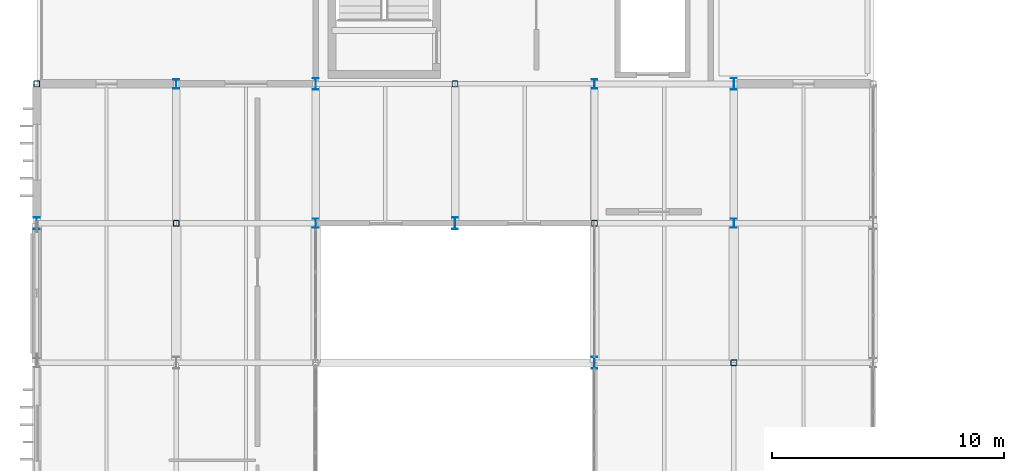
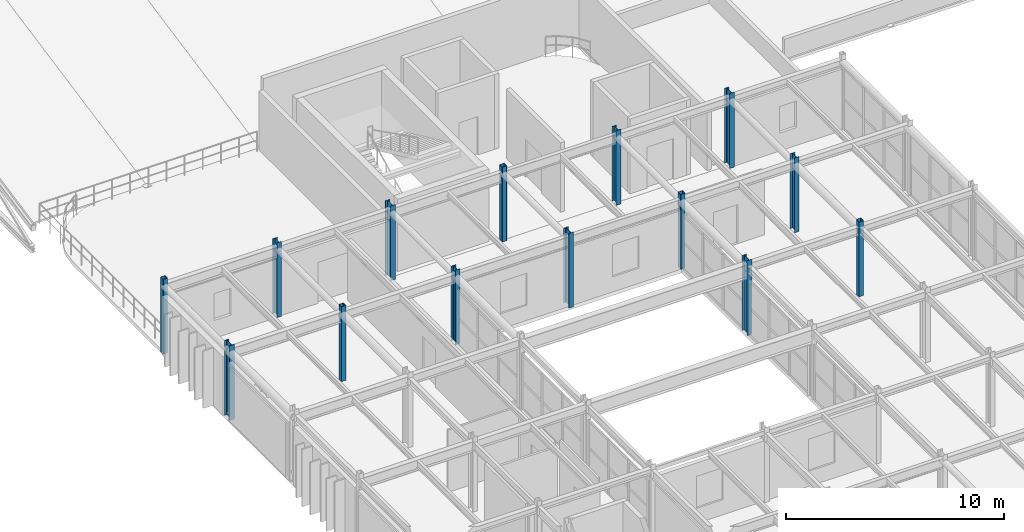
# One storey, part 4 of 83: 14 columns.
"""IFC4 building model written with IfcOpenShell, lengths in metres."""

from ifc_helpers import new_model, si_unit, direction, frame, origin, origin_2d, place, context, subcontext, project, spatial, hollow_rectangle, i_section, extrude, material, material_profile, profile_set, type_object, element, save


model = new_model("IFC4")

# Units and contexts
model_context = context("Model", 3, precision=1e-05, world=origin(), true_north=direction((0.0, 1.0)))
body_context = subcontext(model_context, "Body", "Model", "MODEL_VIEW")
ifc_project = project(units=[si_unit("LENGTHUNIT", "METRE"), si_unit("AREAUNIT", "SQUARE_METRE"), si_unit("VOLUMEUNIT", "CUBIC_METRE"), si_unit("PLANEANGLEUNIT", "RADIAN"), si_unit("MASSUNIT", "GRAM", prefix="KILO")], contexts=[model_context])

# Site, building, storey
site_placement = place(None, origin())
site = spatial("IfcSite", under=ifc_project, at=site_placement, CompositionType="ELEMENT")
building_placement = place(site_placement, origin())
building = spatial("IfcBuilding", under=site, at=building_placement, Name="Varnakota Square Police Headquarters", CompositionType="ELEMENT")
storey_placement = place(building_placement, frame((0.0, 0.0, 18.0)))
storey = spatial("IfcBuildingStorey", under=building, at=storey_placement, Name="L04", CompositionType="ELEMENT", Elevation=18.0)

# Columns
ifc_material = material(Name="Steel IS 2062 Grade 350", Category="steel")
ifc_material_profile_1 = material_profile(ifc_material, i_section(OverallWidth=0.25, OverallDepth=0.39990234375, WebThickness=0.010498046875, FlangeThickness=0.0126953125, FilletRadius=0.013916015625, at=origin_2d()), Name="ISHB 400")
ifc_profile_set_1 = profile_set([ifc_material_profile_1], Name="Steel IS 2062 Grade 350")
column_type_1 = type_object("IfcColumnType", Name="COL-ISHB400", PredefinedType="COLUMN", material=ifc_profile_set_1)
for number, where, z_axis, x_axis, name in (
    (1, (12.0, 63.0, 0.0), (0.0, 0.0, 1.0), (1.0, 0.0, 0.0), "Column X0120-Y0630 L04"),
    (2, (18.0, 57.0, 0.0), (0.0, 0.0, 1.0), (1.0, 0.0, 0.0), "Column X0180-Y0570 L04"),
    (3, (30.0, 63.0, 0.0), (0.0, 0.0, 1.0), (1.0, 0.0, 0.0), "Column X0300-Y0630 L04"),
    (4, (36.0, 57.0, 0.0), (0.0, 0.0, 1.0), (1.0, 0.0, 0.0), "Column X0360-Y0570 L04"),
):
    element("IfcColumn", number, at=place(storey_placement, frame(where, z_axis=z_axis, x_axis=x_axis)), inside=storey, type_object=column_type_1, Name=name, PredefinedType="COLUMN", context=body_context, shape_type="SweptSolid", body=[
        extrude(i_section(OverallWidth=0.25, OverallDepth=0.39990234375, WebThickness=0.010498046875, FlangeThickness=0.0126953125, FilletRadius=0.013916015625, at=origin_2d()), origin(), (0.0, 0.0, 1.0), 4.199951171875),
    ])
ifc_material_profile_2 = material_profile(ifc_material, i_section(OverallWidth=0.25, OverallDepth=0.5, WebThickness=0.010009765625, FlangeThickness=0.0146484375, FilletRadius=0.014892578125, at=origin_2d()), Name="ISWB 500")
ifc_profile_set_2 = profile_set([ifc_material_profile_2], Name="Steel IS 2062 Grade 350")
column_type_2 = type_object("IfcColumnType", Name="COL-ISWB500", PredefinedType="COLUMN", material=ifc_profile_set_2)
for number, where, z_axis, x_axis, name in (
    (5, (6.0, 57.0, 0.0), (0.0, 0.0, 1.0), (1.0, 0.0, 0.0), "Column X0060-Y0570 L04"),
    (6, (18.0, 63.0, 0.0), (0.0, 0.0, 1.0), (1.0, 0.0, 0.0), "Column X0180-Y0630 L04"),
    (7, (24.0, 57.0, 0.0), (0.0, 0.0, 1.0), (1.0, 0.0, 0.0), "Column X0240-Y0570 L04"),
    (8, (30.0, 51.0, 0.0), (0.0, 0.0, 1.0), (1.0, 0.0, 0.0), "Column X0300-Y0510 L04"),
    (9, (36.0, 63.0, 0.0), (0.0, 0.0, 1.0), (1.0, 0.0, 0.0), "Column X0360-Y0630 L04"),
):
    element("IfcColumn", number, at=place(storey_placement, frame(where, z_axis=z_axis, x_axis=x_axis)), inside=storey, type_object=column_type_2, Name=name, PredefinedType="COLUMN", context=body_context, shape_type="SweptSolid", body=[
        extrude(i_section(OverallWidth=0.25, OverallDepth=0.5, WebThickness=0.010009765625, FlangeThickness=0.0146484375, FilletRadius=0.014892578125, at=origin_2d()), origin(), (0.0, 0.0, 1.0), 4.199951171875),
    ])
ifc_material_profile_3 = material_profile(ifc_material, hollow_rectangle(XDim=0.25, YDim=0.25, WallThickness=0.011962890625, InnerFilletRadius=0.011962890625, OuterFilletRadius=0.02392578125, at=origin_2d()), Name="SHS 250x250x12")
ifc_profile_set_3 = profile_set([ifc_material_profile_3], Name="Steel IS 2062 Grade 350")
column_type_3 = type_object("IfcColumnType", Name="COL-SHS250", PredefinedType="COLUMN", material=ifc_profile_set_3)
for number, where, z_axis, x_axis, name in (
    (10, (6.0, 63.0, 0.0), (0.0, 0.0, 1.0), (1.0, 0.0, 0.0), "Column X0060-Y0630 L04"),
    (11, (12.0, 57.0, 0.0), (0.0, 0.0, 1.0), (1.0, 0.0, 0.0), "Column X0120-Y0570 L04"),
    (12, (24.0, 63.0, 0.0), (0.0, 0.0, 1.0), (1.0, 0.0, 0.0), "Column X0240-Y0630 L04"),
    (13, (30.0, 57.0, 0.0), (0.0, 0.0, 1.0), (1.0, 0.0, 0.0), "Column X0300-Y0570 L04"),
    (14, (36.0, 51.0, 0.0), (0.0, 0.0, 1.0), (1.0, 0.0, 0.0), "Column X0360-Y0510 L04"),
):
    element("IfcColumn", number, at=place(storey_placement, frame(where, z_axis=z_axis, x_axis=x_axis)), inside=storey, type_object=column_type_3, Name=name, PredefinedType="COLUMN", context=body_context, shape_type="SweptSolid", body=[
        extrude(hollow_rectangle(XDim=0.25, YDim=0.25, WallThickness=0.011962890625, InnerFilletRadius=0.011962890625, OuterFilletRadius=0.02392578125, at=origin_2d()), origin(), (0.0, 0.0, 1.0), 4.199951171875),
    ])

save(model, "model.ifc")
